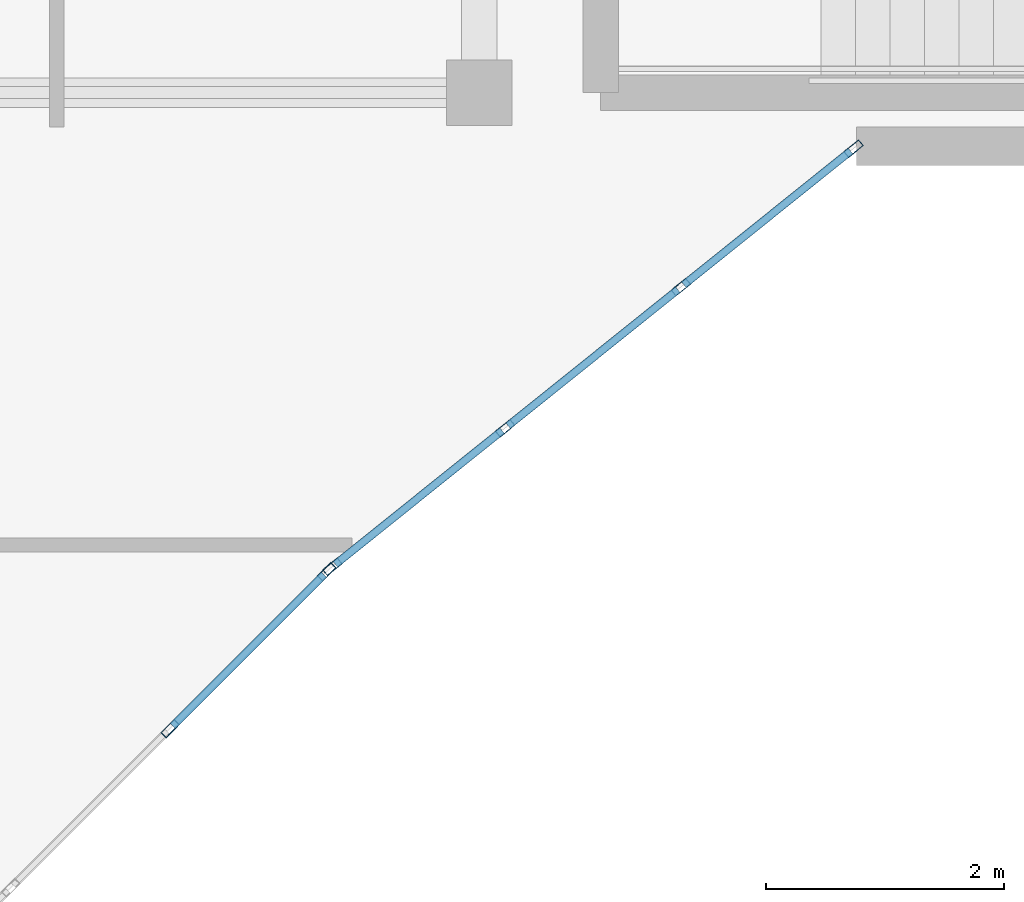
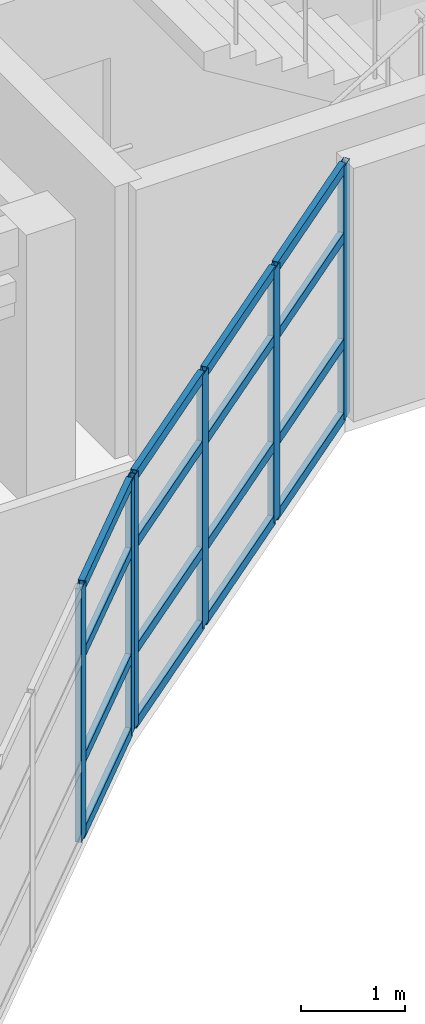
# One storey, part 8 of 68: 22 members, 2 elements without a shape of their own.
"""IFC4 building model written with IfcOpenShell, lengths in metres."""

from ifc_helpers import new_model, si_unit, direction, frame, origin, origin_2d, place, context, subcontext, project, spatial, hollow_rectangle, extrude, material, layer, layer_set, material_profile, profile_set, type_object, element, aggregate, save


model = new_model("IFC4")

# Units and contexts
model_context = context("Model", 3, precision=1e-05, world=origin(), true_north=direction((0.0, 1.0)))
body_context = subcontext(model_context, "Body", "Model", "MODEL_VIEW")
ifc_project = project(units=[si_unit("LENGTHUNIT", "METRE"), si_unit("AREAUNIT", "SQUARE_METRE"), si_unit("VOLUMEUNIT", "CUBIC_METRE"), si_unit("PLANEANGLEUNIT", "RADIAN"), si_unit("MASSUNIT", "GRAM", prefix="KILO")], contexts=[model_context])

# Site, building, storey
site_placement = place(None, origin())
site = spatial("IfcSite", under=ifc_project, at=site_placement, CompositionType="ELEMENT")
building_placement = place(site_placement, origin())
building = spatial("IfcBuilding", under=site, at=building_placement, Name="Keldmere Railside Commons", CompositionType="ELEMENT")
storey_placement = place(building_placement, frame((0.0, 0.0, 23.360107421875)))
storey = spatial("IfcBuildingStorey", under=building, at=storey_placement, Name="L07", CompositionType="ELEMENT", Elevation=23.360107421875)

# Curtain wall, members
ifc_material = material(Name="Thermally Broken Aluminium", Category="aluminium")
ifc_layer_1 = layer(ifc_material, 0.159912109375, Name="Court Chord Wintergarden CW 5400x2850")
ifc_layer_set_1 = layer_set([ifc_layer_1], Name="Thermally Broken Aluminium")
curtain_wall_type_1 = type_object("IfcCurtainWallType", Name="Court Chord Wintergarden CW 5400x2850", PredefinedType="NOTDEFINED", material=ifc_layer_set_1)
curtain_wall_1_placement = place(storey_placement, origin())
curtain_wall_1 = element("IfcCurtainWall", 1, at=curtain_wall_1_placement, inside=storey, type_object=curtain_wall_type_1, Name="CW-13 CW-L07-068", PredefinedType="NOTDEFINED")
ifc_material_profile_1 = material_profile(ifc_material, hollow_rectangle(XDim=0.06494140625, YDim=0.159912109375, WallThickness=0.00390625, at=origin_2d()), Name="ALU-MULL-65x160")
ifc_profile_set_1 = profile_set([ifc_material_profile_1], Name="Thermally Broken Aluminium")
member_type_1 = type_object("IfcMemberType", Name="Unitised Curtain Wall Mullion 65x160", PredefinedType="MULLION", material=ifc_profile_set_1)
member_1_placement = place(storey_placement, frame((71.547119140625, 96.423095703125, 0.0), z_axis=(0.0, 0.0, 1.0), x_axis=(0.707106781187, -0.707106781187, 0.0)))
member_1 = element("IfcMember", 2, at=member_1_placement, type_object=member_type_1, Name="CW-13 mullion 1", PredefinedType="MULLION", context=body_context, shape_type="SweptSolid", body=[
    extrude(hollow_rectangle(XDim=0.06494140625, YDim=0.159912109375, WallThickness=0.00390625, at=origin_2d()), origin(), (0.0, 0.0, 1.0), 2.97998046875),
])
member_2_placement = place(storey_placement, frame((70.2314453125, 95.107421875, 0.0), z_axis=(0.0, 0.0, 1.0), x_axis=(0.707106781187, -0.707106781187, 0.0)))
member_2 = element("IfcMember", 3, at=member_2_placement, type_object=member_type_1, Name="CW-13 mullion 2", PredefinedType="MULLION", context=body_context, shape_type="SweptSolid", body=[
    extrude(hollow_rectangle(XDim=0.06494140625, YDim=0.159912109375, WallThickness=0.00390625, at=origin_2d()), origin(), (0.0, 0.0, 1.0), 2.97998046875),
])

ifc_layer_2 = layer(ifc_material, 0.159912109375, Name="Court Chord Wintergarden CW 4800x2850")
ifc_layer_set_2 = layer_set([ifc_layer_2], Name="Thermally Broken Aluminium")
curtain_wall_type_2 = type_object("IfcCurtainWallType", Name="Court Chord Wintergarden CW 4800x2850", PredefinedType="NOTDEFINED", material=ifc_layer_set_2)
curtain_wall_2_placement = place(storey_placement, origin())
curtain_wall_2 = element("IfcCurtainWall", 4, at=curtain_wall_2_placement, inside=storey, type_object=curtain_wall_type_2, Name="CW-12 CW-L07-069", PredefinedType="NOTDEFINED")
member_3_placement = place(storey_placement, frame((75.974609375, 99.979736328125, 0.0), z_axis=(0.0, 0.0, 1.0), x_axis=(0.625768080915, -0.780009172323, 0.0)))
member_3 = element("IfcMember", 5, at=member_3_placement, type_object=member_type_1, Name="CW-12 mullion 1", PredefinedType="MULLION", context=body_context, shape_type="SweptSolid", body=[
    extrude(hollow_rectangle(XDim=0.06494140625, YDim=0.159912109375, WallThickness=0.00390625, at=origin_2d()), origin(), (0.0, 0.0, 1.0), 2.97998046875),
])
member_4_placement = place(storey_placement, frame((74.5234375, 98.8154296875, 0.0), z_axis=(0.0, 0.0, 1.0), x_axis=(0.625768080915, -0.780009172323, 0.0)))
member_4 = element("IfcMember", 6, at=member_4_placement, type_object=member_type_1, Name="CW-12 mullion 2", PredefinedType="MULLION", context=body_context, shape_type="SweptSolid", body=[
    extrude(hollow_rectangle(XDim=0.06494140625, YDim=0.159912109375, WallThickness=0.00390625, at=origin_2d()), origin(), (0.0, 0.0, 1.0), 2.97998046875),
])
member_5_placement = place(storey_placement, frame((73.046630859375, 97.630615234375, 0.0), z_axis=(0.0, 0.0, 1.0), x_axis=(0.625768080915, -0.780009172323, 0.0)))
member_5 = element("IfcMember", 7, at=member_5_placement, type_object=member_type_1, Name="CW-12 mullion 3", PredefinedType="MULLION", context=body_context, shape_type="SweptSolid", body=[
    extrude(hollow_rectangle(XDim=0.06494140625, YDim=0.159912109375, WallThickness=0.00390625, at=origin_2d()), origin(), (0.0, 0.0, 1.0), 2.97998046875),
])
member_6_placement = place(storey_placement, frame((71.595458984375, 96.46630859375, 0.0), z_axis=(0.0, 0.0, 1.0), x_axis=(0.625768080915, -0.780009172323, 0.0)))
member_6 = element("IfcMember", 8, at=member_6_placement, type_object=member_type_1, Name="CW-12 mullion 4", PredefinedType="MULLION", context=body_context, shape_type="SweptSolid", body=[
    extrude(hollow_rectangle(XDim=0.06494140625, YDim=0.159912109375, WallThickness=0.00390625, at=origin_2d()), origin(), (0.0, 0.0, 1.0), 2.97998046875),
])

# Member
ifc_material_profile_2 = material_profile(ifc_material, hollow_rectangle(XDim=0.06494140625, YDim=0.1201171875, WallThickness=0.00390625, at=origin_2d()), Name="ALU-TRAN-65x120")
ifc_profile_set_2 = profile_set([ifc_material_profile_2], Name="Thermally Broken Aluminium")
member_type_2 = type_object("IfcMemberType", Name="Unitised Curtain Wall Transom 65x120", PredefinedType="USERDEFINED", material=ifc_profile_set_2)
member_7_placement = place(storey_placement, frame((71.52392578125, 96.400146484375, 0.032470703125), z_axis=(-0.707038793419, -0.707174762418, 0.0), x_axis=(0.707174762418, -0.707038793419, 0.0)))
member_7 = element("IfcMember", 9, at=member_7_placement, type_object=member_type_2, Name="CW-13 transom 1.1", ObjectType="TRANSOM", PredefinedType="USERDEFINED", context=body_context, shape_type="SweptSolid", body=[
    extrude(hollow_rectangle(XDim=0.06494140625, YDim=0.1201171875, WallThickness=0.00390625, at=origin_2d()), origin(), (0.0, 0.0, 1.0), 1.795654296875),
])

member_8_placement = place(storey_placement, frame((71.52392578125, 96.400146484375, 0.89990234375), z_axis=(-0.707038793419, -0.707174762418, 0.0), x_axis=(0.707174762418, -0.707038793419, 0.0)))
member_8 = element("IfcMember", 10, at=member_8_placement, type_object=member_type_2, Name="CW-13 transom 1.2", ObjectType="TRANSOM", PredefinedType="USERDEFINED", context=body_context, shape_type="SweptSolid", body=[
    extrude(hollow_rectangle(XDim=0.06494140625, YDim=0.1201171875, WallThickness=0.00390625, at=origin_2d()), origin(), (0.0, 0.0, 1.0), 1.795654296875),
])

member_9_placement = place(storey_placement, frame((71.52392578125, 96.400146484375, 2.14990234375), z_axis=(-0.707038793419, -0.707174762418, 0.0), x_axis=(0.707174762418, -0.707038793419, 0.0)))
member_9 = element("IfcMember", 11, at=member_9_placement, type_object=member_type_2, Name="CW-13 transom 1.3", ObjectType="TRANSOM", PredefinedType="USERDEFINED", context=body_context, shape_type="SweptSolid", body=[
    extrude(hollow_rectangle(XDim=0.06494140625, YDim=0.1201171875, WallThickness=0.00390625, at=origin_2d()), origin(), (0.0, 0.0, 1.0), 1.795654296875),
])

member_10_placement = place(storey_placement, frame((71.52392578125, 96.400146484375, 2.947509765625), z_axis=(-0.707038793419, -0.707174762418, 0.0), x_axis=(0.707174762418, -0.707038793419, 0.0)))
member_10 = element("IfcMember", 12, at=member_10_placement, type_object=member_type_2, Name="CW-13 transom 1.4", ObjectType="TRANSOM", PredefinedType="USERDEFINED", context=body_context, shape_type="SweptSolid", body=[
    extrude(hollow_rectangle(XDim=0.06494140625, YDim=0.1201171875, WallThickness=0.00390625, at=origin_2d()), origin(), (0.0, 0.0, 1.0), 1.795654296875),
])

aggregate(curtain_wall_1, [member_1, member_2, member_7, member_8, member_9, member_10])

member_11_placement = place(storey_placement, frame((75.94921875, 99.959228515625, 0.032470703125), z_axis=(-0.780045694992, -0.625722553313, 0.0), x_axis=(0.625722553313, -0.780045694992, 0.0)))
member_11 = element("IfcMember", 13, at=member_11_placement, type_object=member_type_2, Name="CW-12 transom 1.1", ObjectType="TRANSOM", PredefinedType="USERDEFINED", context=body_context, shape_type="SweptSolid", body=[
    extrude(hollow_rectangle(XDim=0.06494140625, YDim=0.1201171875, WallThickness=0.00390625, at=origin_2d()), origin(), (0.0, 0.0, 1.0), 1.795654296875),
])

member_12_placement = place(storey_placement, frame((75.94921875, 99.959228515625, 0.89990234375), z_axis=(-0.780045694992, -0.625722553313, 0.0), x_axis=(0.625722553313, -0.780045694992, 0.0)))
member_12 = element("IfcMember", 14, at=member_12_placement, type_object=member_type_2, Name="CW-12 transom 1.2", ObjectType="TRANSOM", PredefinedType="USERDEFINED", context=body_context, shape_type="SweptSolid", body=[
    extrude(hollow_rectangle(XDim=0.06494140625, YDim=0.1201171875, WallThickness=0.00390625, at=origin_2d()), origin(), (0.0, 0.0, 1.0), 1.795654296875),
])

member_13_placement = place(storey_placement, frame((75.94921875, 99.959228515625, 2.14990234375), z_axis=(-0.780045694992, -0.625722553313, 0.0), x_axis=(0.625722553313, -0.780045694992, 0.0)))
member_13 = element("IfcMember", 15, at=member_13_placement, type_object=member_type_2, Name="CW-12 transom 1.3", ObjectType="TRANSOM", PredefinedType="USERDEFINED", context=body_context, shape_type="SweptSolid", body=[
    extrude(hollow_rectangle(XDim=0.06494140625, YDim=0.1201171875, WallThickness=0.00390625, at=origin_2d()), origin(), (0.0, 0.0, 1.0), 1.795654296875),
])

member_14_placement = place(storey_placement, frame((75.94921875, 99.959228515625, 2.947509765625), z_axis=(-0.780045694992, -0.625722553313, 0.0), x_axis=(0.625722553313, -0.780045694992, 0.0)))
member_14 = element("IfcMember", 16, at=member_14_placement, type_object=member_type_2, Name="CW-12 transom 1.4", ObjectType="TRANSOM", PredefinedType="USERDEFINED", context=body_context, shape_type="SweptSolid", body=[
    extrude(hollow_rectangle(XDim=0.06494140625, YDim=0.1201171875, WallThickness=0.00390625, at=origin_2d()), origin(), (0.0, 0.0, 1.0), 1.795654296875),
])

member_15_placement = place(storey_placement, frame((74.498046875, 98.794921875, 0.032470703125), z_axis=(-0.78007338409, -0.625688033635, 0.0), x_axis=(0.625688033635, -0.78007338409, 0.0)))
member_15 = element("IfcMember", 17, at=member_15_placement, type_object=member_type_2, Name="CW-12 transom 2.1", ObjectType="TRANSOM", PredefinedType="USERDEFINED", context=body_context, shape_type="SweptSolid", body=[
    extrude(hollow_rectangle(XDim=0.06494140625, YDim=0.1201171875, WallThickness=0.00390625, at=origin_2d()), origin(), (0.0, 0.0, 1.0), 1.828125),
])

member_16_placement = place(storey_placement, frame((74.498046875, 98.794921875, 0.89990234375), z_axis=(-0.78007338409, -0.625688033635, 0.0), x_axis=(0.625688033635, -0.78007338409, 0.0)))
member_16 = element("IfcMember", 18, at=member_16_placement, type_object=member_type_2, Name="CW-12 transom 2.2", ObjectType="TRANSOM", PredefinedType="USERDEFINED", context=body_context, shape_type="SweptSolid", body=[
    extrude(hollow_rectangle(XDim=0.06494140625, YDim=0.1201171875, WallThickness=0.00390625, at=origin_2d()), origin(), (0.0, 0.0, 1.0), 1.828125),
])

member_17_placement = place(storey_placement, frame((74.498046875, 98.794921875, 2.14990234375), z_axis=(-0.78007338409, -0.625688033635, 0.0), x_axis=(0.625688033635, -0.78007338409, 0.0)))
member_17 = element("IfcMember", 19, at=member_17_placement, type_object=member_type_2, Name="CW-12 transom 2.3", ObjectType="TRANSOM", PredefinedType="USERDEFINED", context=body_context, shape_type="SweptSolid", body=[
    extrude(hollow_rectangle(XDim=0.06494140625, YDim=0.1201171875, WallThickness=0.00390625, at=origin_2d()), origin(), (0.0, 0.0, 1.0), 1.828125),
])

member_18_placement = place(storey_placement, frame((74.498046875, 98.794921875, 2.947509765625), z_axis=(-0.78007338409, -0.625688033635, 0.0), x_axis=(0.625688033635, -0.78007338409, 0.0)))
member_18 = element("IfcMember", 20, at=member_18_placement, type_object=member_type_2, Name="CW-12 transom 2.4", ObjectType="TRANSOM", PredefinedType="USERDEFINED", context=body_context, shape_type="SweptSolid", body=[
    extrude(hollow_rectangle(XDim=0.06494140625, YDim=0.1201171875, WallThickness=0.00390625, at=origin_2d()), origin(), (0.0, 0.0, 1.0), 1.828125),
])

member_19_placement = place(storey_placement, frame((73.021240234375, 97.6103515625, 0.032470703125), z_axis=(-0.779979331565, -0.625805275091, 0.0), x_axis=(0.625805275091, -0.779979331565, 0.0)))
member_19 = element("IfcMember", 21, at=member_19_placement, type_object=member_type_2, Name="CW-12 transom 3.1", ObjectType="TRANSOM", PredefinedType="USERDEFINED", context=body_context, shape_type="SweptSolid", body=[
    extrude(hollow_rectangle(XDim=0.06494140625, YDim=0.1201171875, WallThickness=0.00390625, at=origin_2d()), origin(), (0.0, 0.0, 1.0), 1.795654296875),
])

member_20_placement = place(storey_placement, frame((73.021240234375, 97.6103515625, 0.89990234375), z_axis=(-0.779979331565, -0.625805275091, 0.0), x_axis=(0.625805275091, -0.779979331565, 0.0)))
member_20 = element("IfcMember", 22, at=member_20_placement, type_object=member_type_2, Name="CW-12 transom 3.2", ObjectType="TRANSOM", PredefinedType="USERDEFINED", context=body_context, shape_type="SweptSolid", body=[
    extrude(hollow_rectangle(XDim=0.06494140625, YDim=0.1201171875, WallThickness=0.00390625, at=origin_2d()), origin(), (0.0, 0.0, 1.0), 1.795654296875),
])

member_21_placement = place(storey_placement, frame((73.021240234375, 97.6103515625, 2.14990234375), z_axis=(-0.779979331565, -0.625805275091, 0.0), x_axis=(0.625805275091, -0.779979331565, 0.0)))
member_21 = element("IfcMember", 23, at=member_21_placement, type_object=member_type_2, Name="CW-12 transom 3.3", ObjectType="TRANSOM", PredefinedType="USERDEFINED", context=body_context, shape_type="SweptSolid", body=[
    extrude(hollow_rectangle(XDim=0.06494140625, YDim=0.1201171875, WallThickness=0.00390625, at=origin_2d()), origin(), (0.0, 0.0, 1.0), 1.795654296875),
])

member_22_placement = place(storey_placement, frame((73.021240234375, 97.6103515625, 2.947509765625), z_axis=(-0.779979331565, -0.625805275091, 0.0), x_axis=(0.625805275091, -0.779979331565, 0.0)))
member_22 = element("IfcMember", 24, at=member_22_placement, type_object=member_type_2, Name="CW-12 transom 3.4", ObjectType="TRANSOM", PredefinedType="USERDEFINED", context=body_context, shape_type="SweptSolid", body=[
    extrude(hollow_rectangle(XDim=0.06494140625, YDim=0.1201171875, WallThickness=0.00390625, at=origin_2d()), origin(), (0.0, 0.0, 1.0), 1.795654296875),
])

aggregate(curtain_wall_2, [member_3, member_4, member_5, member_6, member_11, member_12, member_13, member_14, member_15, member_16, member_17, member_18, member_19, member_20, member_21, member_22])

save(model, "model.ifc")
